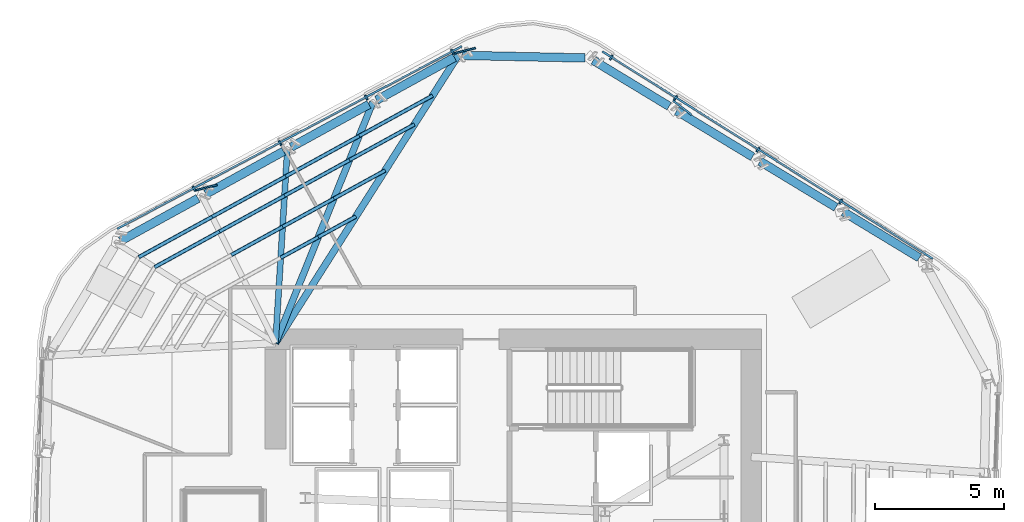
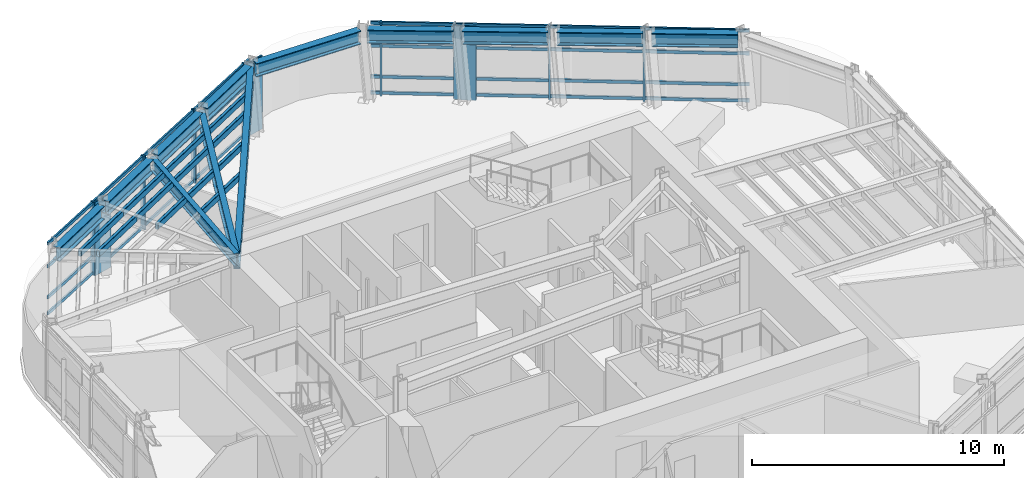
# One storey, part 5 of 14: 32 members, 12 beams, 2 elements without a shape of their own.
"""IFC4 building model written with IfcOpenShell, lengths in metres."""

from ifc_helpers import new_model, si_unit, direction, frame, origin, origin_2d, place, context, subcontext, project, spatial, rectangle, hollow_rectangle, i_section, extrude, material, layer, layer_set, material_profile, profile_set, type_object, element, aggregate, save


model = new_model("IFC4")

# Units and contexts
model_context = context("Model", 3, precision=1e-05, world=origin(), true_north=direction((0.0, 1.0)))
body_context = subcontext(model_context, "Body", "Model", "MODEL_VIEW")
ifc_project = project(units=[si_unit("LENGTHUNIT", "METRE"), si_unit("AREAUNIT", "SQUARE_METRE"), si_unit("VOLUMEUNIT", "CUBIC_METRE"), si_unit("PLANEANGLEUNIT", "RADIAN"), si_unit("MASSUNIT", "GRAM", prefix="KILO")], contexts=[model_context])

# Site, building, storey
site_placement = place(None, origin())
site = spatial("IfcSite", under=ifc_project, at=site_placement, CompositionType="ELEMENT")
building_placement = place(site_placement, origin())
building = spatial("IfcBuilding", under=site, at=building_placement, Name="Valkerne Bourse Tower", CompositionType="ELEMENT")
storey_placement = place(building_placement, frame((0.0, 0.0, 143.800048828125)))
storey = spatial("IfcBuildingStorey", under=building, at=storey_placement, Name="L36", CompositionType="ELEMENT", Elevation=143.800048828125)

# Beams
ifc_material_1 = material(Name="Steel ASTM A992", Category="steel")
ifc_material_profile_1 = material_profile(ifc_material_1, i_section(OverallWidth=0.330078125, OverallDepth=0.647705078125, WebThickness=0.0205078125, FlangeThickness=0.037109375, FilletRadius=0.020263671875, at=origin_2d()), Name="W24X192")
ifc_profile_set_1 = profile_set([ifc_material_profile_1], Name="Steel ASTM A992")
beam_type_1 = type_object("IfcBeamType", Name="BM-W24X192", PredefinedType="SPANDREL", material=ifc_profile_set_1)
beam_1_placement = place(storey_placement, frame((62.50439453125, 38.7001953125, 3.256103515625), z_axis=(-0.855369821154, 0.51801782697, 0.0), x_axis=(-0.51801782697, -0.855369821154, 0.0)))
element("IfcBeam", 1, at=beam_1_placement, inside=storey, type_object=beam_type_1, Name="L36 Hexagonal Spandrel Ring Beam 00", PredefinedType="SPANDREL", context=body_context, shape_type="SweptSolid", body=[
    extrude(i_section(OverallWidth=0.330078125, OverallDepth=0.647705078125, WebThickness=0.0205078125, FlangeThickness=0.037109375, FilletRadius=0.020263671875, at=origin_2d()), origin(), (0.0, 0.0, 1.0), 3.43115234375),
])
beam_2_placement = place(storey_placement, frame((59.27880859375, 40.65380859375, 3.256103515625), z_axis=(-0.85540134986, 0.517965762052, 0.0), x_axis=(-0.517965762052, -0.85540134986, 0.0)))
element("IfcBeam", 2, at=beam_2_placement, inside=storey, type_object=beam_type_1, Name="L36 Hexagonal Spandrel Ring Beam 01", PredefinedType="SPANDREL", context=body_context, shape_type="SweptSolid", body=[
    extrude(i_section(OverallWidth=0.330078125, OverallDepth=0.647705078125, WebThickness=0.0205078125, FlangeThickness=0.037109375, FilletRadius=0.020263671875, at=origin_2d()), origin(), (0.0, 0.0, 1.0), 3.430908203125),
])
beam_3_placement = place(storey_placement, frame((56.05322265625, 42.607177734375, 3.256103515625), z_axis=(-0.855369821154, 0.51801782697, 0.0), x_axis=(-0.51801782697, -0.855369821154, 0.0)))
element("IfcBeam", 3, at=beam_3_placement, inside=storey, type_object=beam_type_1, Name="L36 Hexagonal Spandrel Ring Beam 02", PredefinedType="SPANDREL", context=body_context, shape_type="SweptSolid", body=[
    extrude(i_section(OverallWidth=0.330078125, OverallDepth=0.647705078125, WebThickness=0.0205078125, FlangeThickness=0.037109375, FilletRadius=0.020263671875, at=origin_2d()), origin(), (0.0, 0.0, 1.0), 3.43115234375),
])
beam_4_placement = place(storey_placement, frame((52.82763671875, 44.560791015625, 3.256103515625), z_axis=(-0.85540134986, 0.517965762052, 0.0), x_axis=(-0.517965762052, -0.85540134986, 0.0)))
element("IfcBeam", 4, at=beam_4_placement, inside=storey, type_object=beam_type_1, Name="L36 Hexagonal Spandrel Ring Beam 03", PredefinedType="SPANDREL", context=body_context, shape_type="SweptSolid", body=[
    extrude(i_section(OverallWidth=0.330078125, OverallDepth=0.647705078125, WebThickness=0.0205078125, FlangeThickness=0.037109375, FilletRadius=0.020263671875, at=origin_2d()), origin(), (0.0, 0.0, 1.0), 3.430908203125),
])
beam_5_placement = place(storey_placement, frame((49.577392578125, 46.4296875, 3.256103515625), z_axis=(-0.999781332729, 0.020911401839, 0.0), x_axis=(-0.020911401839, -0.999781332729, 0.0)))
element("IfcBeam", 5, at=beam_5_placement, inside=storey, type_object=beam_type_1, Name="L36 Hexagonal Spandrel Ring Beam 04", PredefinedType="SPANDREL", context=body_context, shape_type="SweptSolid", body=[
    extrude(i_section(OverallWidth=0.330078125, OverallDepth=0.647705078125, WebThickness=0.0205078125, FlangeThickness=0.037109375, FilletRadius=0.020263671875, at=origin_2d()), origin(), (0.0, 0.0, 1.0), 4.739990234375),
])
for number, where, z_axis, x_axis, name in (
    (6, (44.51953125, 46.450439453125, 3.256103515625), (-0.876313545449, -0.481741185765, 0.0), (0.481741185765, -0.876313545449, 0.0), "L36 Hexagonal Spandrel Ring Beam 05"),
    (7, (41.215087890625, 44.6337890625, 3.256103515625), (-0.876313545449, -0.481741185765, 0.0), (0.481741185765, -0.876313545449, 0.0), "L36 Hexagonal Spandrel Ring Beam 06"),
    (8, (37.910400390625, 42.817138671875, 3.256103515625), (-0.876313545449, -0.481741185765, 0.0), (0.481741185765, -0.876313545449, 0.0), "L36 Hexagonal Spandrel Ring Beam 07"),
):
    element("IfcBeam", number, at=place(storey_placement, frame(where, z_axis=z_axis, x_axis=x_axis)), inside=storey, type_object=beam_type_1, Name=name, PredefinedType="SPANDREL", context=body_context, shape_type="SweptSolid", body=[
        extrude(i_section(OverallWidth=0.330078125, OverallDepth=0.647705078125, WebThickness=0.0205078125, FlangeThickness=0.037109375, FilletRadius=0.020263671875, at=origin_2d()), origin(), (0.0, 0.0, 1.0), 3.430908203125),
    ])
beam_6_placement = place(storey_placement, frame((34.60595703125, 41.00048828125, 3.256103515625), z_axis=(-0.876283504881, -0.481795827166, 0.0), x_axis=(0.481795827166, -0.876283504881, 0.0)))
element("IfcBeam", 9, at=beam_6_placement, inside=storey, type_object=beam_type_1, Name="L36 Hexagonal Spandrel Ring Beam 08", PredefinedType="SPANDREL", context=body_context, shape_type="SweptSolid", body=[
    extrude(i_section(OverallWidth=0.330078125, OverallDepth=0.647705078125, WebThickness=0.0205078125, FlangeThickness=0.037109375, FilletRadius=0.020263671875, at=origin_2d()), origin(), (0.0, 0.0, 1.0), 3.43115234375),
])
ifc_material_profile_2 = material_profile(ifc_material_1, i_section(OverallWidth=0.228271484375, OverallDepth=0.607177734375, WebThickness=0.01123046875, FlangeThickness=0.017333984375, FilletRadius=0.017822265625, at=origin_2d()), Name="W24X76")
ifc_profile_set_2 = profile_set([ifc_material_profile_2], Name="Steel ASTM A992")
beam_type_2 = type_object("IfcBeamType", Name="BM-W24X76", PredefinedType="JOIST", material=ifc_profile_set_2)
beam_7_placement = place(storey_placement, frame((38.059326171875, 42.89892578125, 3.2763671875), z_axis=(-0.061123937886, -0.998130184003, 0.0), x_axis=(0.998130184003, -0.061123937886, 0.0)))
element("IfcBeam", 10, at=beam_7_placement, inside=storey, type_object=beam_type_2, Name="L36 Radial Composite Floor Beam 07", PredefinedType="JOIST", context=body_context, shape_type="SweptSolid", body=[
    extrude(i_section(OverallWidth=0.228271484375, OverallDepth=0.607177734375, WebThickness=0.01123046875, FlangeThickness=0.017333984375, FilletRadius=0.017822265625, at=origin_2d()), origin(), (0.0, 0.0, 1.0), 7.51318359375),
])
ifc_material_profile_3 = material_profile(ifc_material_1, i_section(OverallWidth=0.255859375, OverallDepth=0.693359375, WebThickness=0.014404296875, FlangeThickness=0.023681640625, FilletRadius=0.02294921875, at=origin_2d()), Name="W27X114")
ifc_profile_set_3 = profile_set([ifc_material_profile_3], Name="Steel ASTM A992")
beam_type_3 = type_object("IfcBeamType", Name="BM-W27X114", PredefinedType="BEAM", material=ifc_profile_set_3)
beam_8_placement = place(storey_placement, frame((41.364013671875, 44.7158203125, 3.233154296875), z_axis=(-0.374610087561, -0.927182442833, 0.0), x_axis=(0.927182442833, -0.374610087561, 0.0)))
element("IfcBeam", 11, at=beam_8_placement, inside=storey, type_object=beam_type_3, Name="L36 Radial Composite Floor Beam 06", PredefinedType="BEAM", context=body_context, shape_type="SweptSolid", body=[
    extrude(i_section(OverallWidth=0.255859375, OverallDepth=0.693359375, WebThickness=0.014404296875, FlangeThickness=0.023681640625, FilletRadius=0.02294921875, at=origin_2d()), origin(), (0.0, 0.0, 1.0), 10.047607421875),
])
ifc_material_profile_4 = material_profile(ifc_material_1, i_section(OverallWidth=0.26806640625, OverallDepth=0.76953125, WebThickness=0.015625, FlangeThickness=0.025390625, FilletRadius=0.025390625, at=origin_2d()), Name="W30X132")
ifc_profile_set_4 = profile_set([ifc_material_profile_4], Name="Steel ASTM A992")
beam_type_4 = type_object("IfcBeamType", Name="BM-W30X132", PredefinedType="BEAM", material=ifc_profile_set_4)
beam_9_placement = place(storey_placement, frame((44.66845703125, 46.532470703125, 3.195068359375), z_axis=(-0.536011487695, -0.8442106876, 0.0), x_axis=(0.8442106876, -0.536011487695, 0.0)))
element("IfcBeam", 12, at=beam_9_placement, inside=storey, type_object=beam_type_4, Name="L36 Radial Composite Floor Beam 05", PredefinedType="BEAM", context=body_context, shape_type="SweptSolid", body=[
    extrude(i_section(OverallWidth=0.26806640625, OverallDepth=0.76953125, WebThickness=0.015625, FlangeThickness=0.025390625, FilletRadius=0.025390625, at=origin_2d()), origin(), (0.0, 0.0, 1.0), 13.18701171875),
])

# Curtain wall, members
ifc_material_2 = material(Name="Aluminium AA 6063-T6", Category="aluminium")
ifc_layer = layer(ifc_material_2, 0.235107421875)
ifc_layer_set = layer_set([ifc_layer], Name="Aluminium AA 6063-T6")
curtain_wall_type = type_object("IfcCurtainWallType", Name="CW-03", PredefinedType="NOTDEFINED", material=ifc_layer_set)
curtain_wall_1_placement = place(storey_placement, origin())
curtain_wall_1 = element("IfcCurtainWall", 13, at=curtain_wall_1_placement, inside=storey, type_object=curtain_wall_type, Name="L36 Hexagonal Stick Curtain Wall Face 1", PredefinedType="NOTDEFINED")
ifc_material_profile_5 = material_profile(ifc_material_2, rectangle(XDim=0.074951171875, YDim=0.199951171875, at=origin_2d()), Name="CWM-75X200")
ifc_profile_set_5 = profile_set([ifc_material_profile_5], Name="Aluminium AA 6063-T6")
member_type_1 = type_object("IfcMemberType", Name="CW-MUL-220X75", PredefinedType="MULLION", material=ifc_profile_set_5)
member_1_placement = place(storey_placement, frame((59.460693359375, 40.876708984375, 0.0), z_axis=(0.0, 0.0, 1.0), x_axis=(-0.847122646261, 0.531397423961, 0.0)))
member_1 = element("IfcMember", 14, at=member_1_placement, type_object=member_type_1, Name="CW-L36-F1 Jamb Mullion 01A", PredefinedType="MULLION", context=body_context, shape_type="SweptSolid", body=[
    extrude(rectangle(XDim=0.074951171875, YDim=0.199951171875, at=origin_2d()), origin(), (0.0, 0.0, 1.0), 3.579833984375),
])
member_2_placement = place(storey_placement, frame((56.26611328125, 42.880615234375, 0.0), z_axis=(0.0, 0.0, 1.0), x_axis=(-0.847122646261, 0.531397423961, 0.0)))
member_2 = element("IfcMember", 15, at=member_2_placement, type_object=member_type_1, Name="CW-L36-F1 Jamb Mullion 02A", PredefinedType="MULLION", context=body_context, shape_type="SweptSolid", body=[
    extrude(rectangle(XDim=0.074951171875, YDim=0.199951171875, at=origin_2d()), origin(), (0.0, 0.0, 1.0), 3.579833984375),
])
member_3_placement = place(storey_placement, frame((53.07177734375, 44.884521484375, 0.0), z_axis=(0.0, 0.0, 1.0), x_axis=(-0.847122646261, 0.531397423961, 0.0)))
member_3 = element("IfcMember", 16, at=member_3_placement, type_object=member_type_1, Name="CW-L36-F1 Jamb Mullion 03A", PredefinedType="MULLION", context=body_context, shape_type="SweptSolid", body=[
    extrude(rectangle(XDim=0.074951171875, YDim=0.199951171875, at=origin_2d()), origin(), (0.0, 0.0, 1.0), 3.579833984375),
])
member_4_placement = place(storey_placement, frame((50.5888671875, 46.442138671875, 0.0), z_axis=(0.0, 0.0, 1.0), x_axis=(-0.847122646261, 0.531397423961, 0.0)))
member_4 = element("IfcMember", 17, at=member_4_placement, type_object=member_type_1, Name="CW-L36-F1 Jamb Mullion 03B", PredefinedType="MULLION", context=body_context, shape_type="SweptSolid", body=[
    extrude(rectangle(XDim=0.074951171875, YDim=0.199951171875, at=origin_2d()), origin(), (0.0, 0.0, 1.0), 3.579833984375),
])

curtain_wall_2_placement = place(storey_placement, origin())
curtain_wall_2 = element("IfcCurtainWall", 18, at=curtain_wall_2_placement, inside=storey, type_object=curtain_wall_type, Name="L36 Hexagonal Stick Curtain Wall Face 2", PredefinedType="NOTDEFINED")
member_5_placement = place(storey_placement, frame((44.4453125, 46.66748046875, 0.0), z_axis=(0.0, 0.0, 1.0), x_axis=(-0.883762758878, -0.467935236993, 0.0)))
member_5 = element("IfcMember", 19, at=member_5_placement, type_object=member_type_1, Name="CW-L36-F2 Jamb Mullion 00A", PredefinedType="MULLION", context=body_context, shape_type="SweptSolid", body=[
    extrude(rectangle(XDim=0.074951171875, YDim=0.199951171875, at=origin_2d()), origin(), (0.0, 0.0, 1.0), 3.579833984375),
])
member_6_placement = place(storey_placement, frame((41.112548828125, 44.90283203125, 0.0), z_axis=(0.0, 0.0, 1.0), x_axis=(-0.883773725093, -0.467914525137, 0.0)))
member_6 = element("IfcMember", 20, at=member_6_placement, type_object=member_type_1, Name="CW-L36-F2 Jamb Mullion 01A", PredefinedType="MULLION", context=body_context, shape_type="SweptSolid", body=[
    extrude(rectangle(XDim=0.074951171875, YDim=0.199951171875, at=origin_2d()), origin(), (0.0, 0.0, 1.0), 3.579833984375),
])
member_7_placement = place(storey_placement, frame((37.77978515625, 43.13818359375, 0.0), z_axis=(0.0, 0.0, 1.0), x_axis=(-0.883756952221, -0.467946203533, 0.0)))
member_7 = element("IfcMember", 21, at=member_7_placement, type_object=member_type_1, Name="CW-L36-F2 Jamb Mullion 02A", PredefinedType="MULLION", context=body_context, shape_type="SweptSolid", body=[
    extrude(rectangle(XDim=0.074951171875, YDim=0.199951171875, at=origin_2d()), origin(), (0.0, 0.0, 1.0), 3.579833984375),
])
member_8_placement = place(storey_placement, frame((34.447265625, 41.373779296875, 0.0), z_axis=(0.0, 0.0, 1.0), x_axis=(-0.883762758878, -0.467935236993, 0.0)))
member_8 = element("IfcMember", 22, at=member_8_placement, type_object=member_type_1, Name="CW-L36-F2 Jamb Mullion 03A", PredefinedType="MULLION", context=body_context, shape_type="SweptSolid", body=[
    extrude(rectangle(XDim=0.074951171875, YDim=0.199951171875, at=origin_2d()), origin(), (0.0, 0.0, 1.0), 3.579833984375),
])

# Member
ifc_material_profile_6 = material_profile(ifc_material_2, rectangle(XDim=0.074951171875, YDim=0.14990234375, at=origin_2d()), Name="CWT-75X150")
ifc_profile_set_6 = profile_set([ifc_material_profile_6], Name="Aluminium AA 6063-T6")
member_type_2 = type_object("IfcMemberType", Name="CW-TRN-180X65", PredefinedType="USERDEFINED", material=ifc_profile_set_6)
member_9_placement = place(storey_placement, frame((63.021484375, 38.666748046875, 0.119873046875), z_axis=(-0.847118755624, 0.531403626135, 0.0), x_axis=(-0.531403626135, -0.847118755624, 0.0)))
member_9 = element("IfcMember", 23, at=member_9_placement, type_object=member_type_2, Name="CW-L36-F1 Continuous Face Transom 1", ObjectType="TRANSOM", PredefinedType="USERDEFINED", context=body_context, shape_type="SweptSolid", body=[
    extrude(rectangle(XDim=0.074951171875, YDim=0.14990234375, at=origin_2d()), origin(), (0.0, 0.0, 1.0), 15.083984375),
])

member_10_placement = place(storey_placement, frame((63.021484375, 38.666748046875, 0.89990234375), z_axis=(-0.847118755624, 0.531403626135, 0.0), x_axis=(-0.531403626135, -0.847118755624, 0.0)))
member_10 = element("IfcMember", 24, at=member_10_placement, type_object=member_type_2, Name="CW-L36-F1 Continuous Face Transom 2", ObjectType="TRANSOM", PredefinedType="USERDEFINED", context=body_context, shape_type="SweptSolid", body=[
    extrude(rectangle(XDim=0.074951171875, YDim=0.14990234375, at=origin_2d()), origin(), (0.0, 0.0, 1.0), 15.083984375),
])

member_11_placement = place(storey_placement, frame((63.021484375, 38.666748046875, 2.39990234375), z_axis=(-0.847118755624, 0.531403626135, 0.0), x_axis=(-0.531403626135, -0.847118755624, 0.0)))
member_11 = element("IfcMember", 25, at=member_11_placement, type_object=member_type_2, Name="CW-L36-F1 Continuous Face Transom 3", ObjectType="TRANSOM", PredefinedType="USERDEFINED", context=body_context, shape_type="SweptSolid", body=[
    extrude(rectangle(XDim=0.074951171875, YDim=0.14990234375, at=origin_2d()), origin(), (0.0, 0.0, 1.0), 15.083984375),
])

member_12_placement = place(storey_placement, frame((63.021484375, 38.666748046875, 3.5), z_axis=(-0.847118755624, 0.531403626135, 0.0), x_axis=(-0.531403626135, -0.847118755624, 0.0)))
member_12 = element("IfcMember", 26, at=member_12_placement, type_object=member_type_2, Name="CW-L36-F1 Continuous Face Transom 4", ObjectType="TRANSOM", PredefinedType="USERDEFINED", context=body_context, shape_type="SweptSolid", body=[
    extrude(rectangle(XDim=0.074951171875, YDim=0.14990234375, at=origin_2d()), origin(), (0.0, 0.0, 1.0), 15.083984375),
])

aggregate(curtain_wall_1, [member_9, member_10, member_11, member_12, member_1, member_2, member_3, member_4])

member_13_placement = place(storey_placement, frame((44.80712890625, 46.881591796875, 0.119873046875), z_axis=(-0.883770986723, -0.467919697199, 0.0), x_axis=(0.467919697199, -0.883770986723, 0.0)))
member_13 = element("IfcMember", 27, at=member_13_placement, type_object=member_type_2, Name="CW-L36-F2 Continuous Face Transom 1", ObjectType="TRANSOM", PredefinedType="USERDEFINED", context=body_context, shape_type="SweptSolid", body=[
    extrude(rectangle(XDim=0.074951171875, YDim=0.14990234375, at=origin_2d()), origin(), (0.0, 0.0, 1.0), 15.083984375),
])

member_14_placement = place(storey_placement, frame((44.80712890625, 46.881591796875, 0.89990234375), z_axis=(-0.883770986723, -0.467919697199, 0.0), x_axis=(0.467919697199, -0.883770986723, 0.0)))
member_14 = element("IfcMember", 28, at=member_14_placement, type_object=member_type_2, Name="CW-L36-F2 Continuous Face Transom 2", ObjectType="TRANSOM", PredefinedType="USERDEFINED", context=body_context, shape_type="SweptSolid", body=[
    extrude(rectangle(XDim=0.074951171875, YDim=0.14990234375, at=origin_2d()), origin(), (0.0, 0.0, 1.0), 15.083984375),
])

member_15_placement = place(storey_placement, frame((44.80712890625, 46.881591796875, 2.39990234375), z_axis=(-0.883770986723, -0.467919697199, 0.0), x_axis=(0.467919697199, -0.883770986723, 0.0)))
member_15 = element("IfcMember", 29, at=member_15_placement, type_object=member_type_2, Name="CW-L36-F2 Continuous Face Transom 3", ObjectType="TRANSOM", PredefinedType="USERDEFINED", context=body_context, shape_type="SweptSolid", body=[
    extrude(rectangle(XDim=0.074951171875, YDim=0.14990234375, at=origin_2d()), origin(), (0.0, 0.0, 1.0), 15.083984375),
])

member_16_placement = place(storey_placement, frame((44.80712890625, 46.881591796875, 3.5), z_axis=(-0.883770986723, -0.467919697199, 0.0), x_axis=(0.467919697199, -0.883770986723, 0.0)))
member_16 = element("IfcMember", 30, at=member_16_placement, type_object=member_type_2, Name="CW-L36-F2 Continuous Face Transom 4", ObjectType="TRANSOM", PredefinedType="USERDEFINED", context=body_context, shape_type="SweptSolid", body=[
    extrude(rectangle(XDim=0.074951171875, YDim=0.14990234375, at=origin_2d()), origin(), (0.0, 0.0, 1.0), 15.083984375),
])

aggregate(curtain_wall_2, [member_13, member_14, member_15, member_16, member_5, member_6, member_7, member_8])

# Members
ifc_material_3 = material(Name="Bronze Anodised Aluminium AA 6063-T6", Category="aluminium")
ifc_material_profile_7 = material_profile(ifc_material_3, rectangle(XDim=0.070068359375, YDim=0.89990234375, at=origin_2d()), Name="FIN-70X900")
ifc_profile_set_7 = profile_set([ifc_material_profile_7], Name="Bronze Anodised Aluminium AA 6063-T6")
member_type_3 = type_object("IfcMemberType", Name="FIN-SOLAR-900", PredefinedType="USERDEFINED", material=ifc_profile_set_7)
for number, where, z_axis, x_axis, name in (
    (31, (53.331787109375, 44.5087890625, 0.00390625), (0.0, 0.0, 1.0), (0.606290582601, 0.795243188874, 0.0), "L36 Bronze Anodised Solar Fin F1-03"),
    (32, (44.900634765625, 46.704833984375, 0.00390625), (0.0, 0.0, 1.0), (-0.242599370517, 0.97012656155, 0.0), "L36 Bronze Anodised Solar Fin F2-00"),
    (33, (34.902587890625, 41.4111328125, 0.00390625), (0.0, 0.0, 1.0), (-0.242599370517, 0.97012656155, 0.0), "L36 Bronze Anodised Solar Fin F2-03"),
):
    element("IfcMember", number, at=place(storey_placement, frame(where, z_axis=z_axis, x_axis=x_axis)), inside=storey, type_object=member_type_3, Name=name, ObjectType="SOLAR_FIN", PredefinedType="USERDEFINED", context=body_context, shape_type="SweptSolid", body=[
        extrude(rectangle(XDim=0.070068359375, YDim=0.89990234375, at=origin_2d()), origin(), (0.0, 0.0, 1.0), 3.572021484375),
    ])
ifc_material_4 = material(Name="Steel ASTM A500 Grade C", Category="steel")
ifc_material_profile_8 = material_profile(ifc_material_4, hollow_rectangle(XDim=0.14990234375, YDim=0.300048828125, WallThickness=0.012451171875, OuterFilletRadius=0.02490234375, at=origin_2d()), Name="HSS300X150X12.5")
ifc_profile_set_8 = profile_set([ifc_material_profile_8], Name="Steel ASTM A500 Grade C")
member_type_4 = type_object("IfcMemberType", Name="MBR-HSS300X150X12.5", PredefinedType="PURLIN", material=ifc_profile_set_8)
member_17_placement = place(storey_placement, frame((40.710205078125, 40.29833984375, 3.419921875), z_axis=(-0.876265603975, -0.48182838365, 0.0), x_axis=(0.48182838365, -0.876265603975, 0.0)))
element("IfcMember", 34, at=member_17_placement, inside=storey, type_object=member_type_4, Name="L36 Secondary Composite Floor Purlin K-05", PredefinedType="PURLIN", context=body_context, shape_type="SweptSolid", body=[
    extrude(hollow_rectangle(XDim=0.14990234375, YDim=0.300048828125, WallThickness=0.012451171875, OuterFilletRadius=0.02490234375, at=origin_2d()), origin(), (0.0, 0.0, 1.0), 1.659423828125),
])
member_18_placement = place(storey_placement, frame((39.256103515625, 39.498779296875, 3.419921875), z_axis=(-0.876389826093, -0.481602401075, 0.0), x_axis=(0.481602401075, -0.876389826093, 0.0)))
element("IfcMember", 35, at=member_18_placement, inside=storey, type_object=member_type_4, Name="L36 Secondary Composite Floor Purlin K-06", PredefinedType="PURLIN", context=body_context, shape_type="SweptSolid", body=[
    extrude(hollow_rectangle(XDim=0.14990234375, YDim=0.300048828125, WallThickness=0.012451171875, OuterFilletRadius=0.02490234375, at=origin_2d()), origin(), (0.0, 0.0, 1.0), 1.6591796875),
])
for number, where, z_axis, x_axis, name in (
    (36, (42.97216796875, 43.860595703125, 3.419921875), (-0.876318407532, -0.481732341265, 0.0), (0.481732341265, -0.876318407532, 0.0), "L36 Secondary Composite Floor Purlin O-05"),
    (37, (40.460693359375, 42.47998046875, 3.419921875), (-0.876282444807, -0.481797755208, 0.0), (0.481797755208, -0.876282444807, 0.0), "L36 Secondary Composite Floor Purlin O-06"),
    (38, (37.94921875, 41.09912109375, 3.419921875), (-0.876318407532, -0.481732341265, 0.0), (0.481732341265, -0.876318407532, 0.0), "L36 Secondary Composite Floor Purlin O-07"),
    (39, (35.437744140625, 39.718505859375, 3.419921875), (-0.876318407532, -0.481732341265, 0.0), (0.481732341265, -0.876318407532, 0.0), "L36 Secondary Composite Floor Purlin O-08"),
):
    element("IfcMember", number, at=place(storey_placement, frame(where, z_axis=z_axis, x_axis=x_axis)), inside=storey, type_object=member_type_4, Name=name, PredefinedType="PURLIN", context=body_context, shape_type="SweptSolid", body=[
        extrude(hollow_rectangle(XDim=0.14990234375, YDim=0.300048828125, WallThickness=0.012451171875, OuterFilletRadius=0.02490234375, at=origin_2d()), origin(), (0.0, 0.0, 1.0), 2.865966796875),
    ])
member_19_placement = place(storey_placement, frame((41.841064453125, 42.079345703125, 3.419921875), z_axis=(-0.876332077378, -0.481707473638, 0.0), x_axis=(0.481707473638, -0.876332077378, 0.0)))
element("IfcMember", 40, at=member_19_placement, inside=storey, type_object=member_type_4, Name="L36 Secondary Composite Floor Purlin Z-05", PredefinedType="PURLIN", context=body_context, shape_type="SweptSolid", body=[
    extrude(hollow_rectangle(XDim=0.14990234375, YDim=0.300048828125, WallThickness=0.012451171875, OuterFilletRadius=0.02490234375, at=origin_2d()), origin(), (0.0, 0.0, 1.0), 2.262451171875),
])
for number, where, z_axis, x_axis, name in (
    (41, (39.8583984375, 40.989501953125, 3.419921875), (-0.876311566704, -0.481744785193, 0.0), (0.481744785193, -0.876311566704, 0.0), "L36 Secondary Composite Floor Purlin Z-06"),
    (42, (37.87548828125, 39.8994140625, 3.419921875), (-0.876286523425, -0.481790337039, 0.0), (0.481790337039, -0.876286523425, 0.0), "L36 Secondary Composite Floor Purlin Z-07"),
):
    element("IfcMember", number, at=place(storey_placement, frame(where, z_axis=z_axis, x_axis=x_axis)), inside=storey, type_object=member_type_4, Name=name, PredefinedType="PURLIN", context=body_context, shape_type="SweptSolid", body=[
        extrude(hollow_rectangle(XDim=0.14990234375, YDim=0.300048828125, WallThickness=0.012451171875, OuterFilletRadius=0.02490234375, at=origin_2d()), origin(), (0.0, 0.0, 1.0), 2.2626953125),
    ])
member_20_placement = place(storey_placement, frame((43.678955078125, 44.973876953125, 3.419921875), z_axis=(-0.876328731668, -0.481713560171, 0.0), x_axis=(0.481713560171, -0.876328731668, 0.0)))
element("IfcMember", 43, at=member_20_placement, inside=storey, type_object=member_type_4, Name="L36 Secondary Composite Floor Purlin T-05", PredefinedType="PURLIN", context=body_context, shape_type="SweptSolid", body=[
    extrude(hollow_rectangle(XDim=0.14990234375, YDim=0.300048828125, WallThickness=0.012451171875, OuterFilletRadius=0.02490234375, at=origin_2d()), origin(), (0.0, 0.0, 1.0), 3.2431640625),
])
for number, where, z_axis, x_axis, name in (
    (44, (40.8369140625, 43.41162109375, 3.419921875), (-0.876279478723, -0.481803149813, 0.0), (0.481803149813, -0.876279478723, 0.0), "L36 Secondary Composite Floor Purlin T-06"),
    (45, (37.9951171875, 41.84912109375, 3.419921875), (-0.876311261484, -0.481745340398, 0.0), (0.481745340398, -0.876311261484, 0.0), "L36 Secondary Composite Floor Purlin T-07"),
):
    element("IfcMember", number, at=place(storey_placement, frame(where, z_axis=z_axis, x_axis=x_axis)), inside=storey, type_object=member_type_4, Name=name, PredefinedType="PURLIN", context=body_context, shape_type="SweptSolid", body=[
        extrude(hollow_rectangle(XDim=0.14990234375, YDim=0.300048828125, WallThickness=0.012451171875, OuterFilletRadius=0.02490234375, at=origin_2d()), origin(), (0.0, 0.0, 1.0), 3.242919921875),
    ])
member_21_placement = place(storey_placement, frame((35.1533203125, 40.286865234375, 3.419921875), z_axis=(-0.876296952466, -0.481771368077, 0.0), x_axis=(0.481771368077, -0.876296952466, 0.0)))
element("IfcMember", 46, at=member_21_placement, inside=storey, type_object=member_type_4, Name="L36 Secondary Composite Floor Purlin T-08", PredefinedType="PURLIN", context=body_context, shape_type="SweptSolid", body=[
    extrude(hollow_rectangle(XDim=0.14990234375, YDim=0.300048828125, WallThickness=0.012451171875, OuterFilletRadius=0.02490234375, at=origin_2d()), origin(), (0.0, 0.0, 1.0), 3.2431640625),
])

save(model, "model.ifc")
